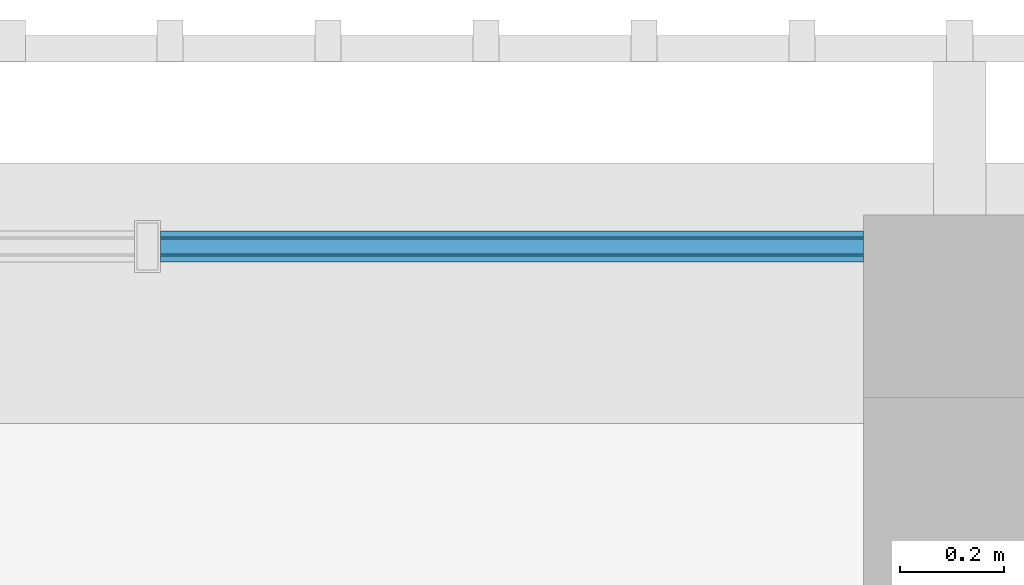
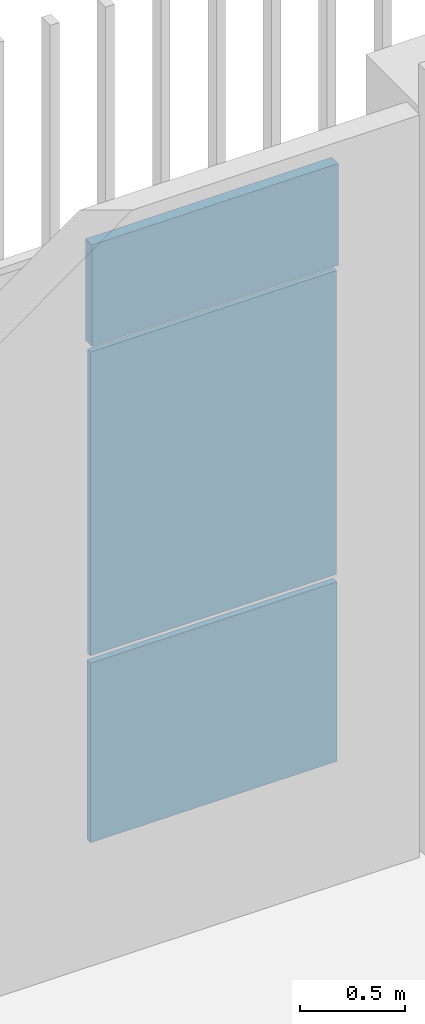
# One storey, part 70 of 139: 3 plates, 1 element without a shape of its own.
"""IFC4 building model written with IfcOpenShell, lengths in metres."""

from ifc_helpers import new_model, si_unit, direction, frame, origin, origin_2d, place, context, subcontext, project, spatial, rectangle, extrude, material, layer, layer_set, type_object, element, aggregate, save


model = new_model("IFC4")

# Units and contexts
model_context = context("Model", 3, precision=1e-05, world=origin(), true_north=direction((0.0, 1.0)))
body_context = subcontext(model_context, "Body", "Model", "MODEL_VIEW")
ifc_project = project(units=[si_unit("LENGTHUNIT", "METRE"), si_unit("AREAUNIT", "SQUARE_METRE"), si_unit("VOLUMEUNIT", "CUBIC_METRE"), si_unit("PLANEANGLEUNIT", "RADIAN"), si_unit("MASSUNIT", "GRAM", prefix="KILO")], contexts=[model_context])

# Site, building, storey
site_placement = place(None, origin())
site = spatial("IfcSite", under=ifc_project, at=site_placement, CompositionType="ELEMENT")
building_placement = place(site_placement, origin())
building = spatial("IfcBuilding", under=site, at=building_placement, Name="Shirokan Park Arena", CompositionType="ELEMENT")
storey_placement = place(building_placement, frame((0.0, 0.0, 15.469970703125)))
storey = spatial("IfcBuildingStorey", under=building, at=storey_placement, Name="L03", CompositionType="ELEMENT", Elevation=15.469970703125)

# Curtain wall, plates
ifc_material_1 = material(Name="Steel and glass curtain wall", Category="steel")
ifc_layer_1 = layer(ifc_material_1, 0.1201171875)
ifc_layer_set_1 = layer_set([ifc_layer_1], Name="Steel and glass curtain wall 120 mm")
curtain_wall_type = type_object("IfcCurtainWallType", Name="Curtain wall corner block side bay 120", PredefinedType="NOTDEFINED", material=ifc_layer_set_1)
curtain_wall_placement = place(storey_placement, origin())
curtain_wall = element("IfcCurtainWall", 1, at=curtain_wall_placement, inside=storey, type_object=curtain_wall_type, Name="Curtain wall north bay 3 L03", PredefinedType="NOTDEFINED")
ifc_material_2 = material(Name="Aluminium sheet", Category="aluminium")
ifc_layer_2 = layer(ifc_material_2, 0.0029296875, Name="Aluminium sheet")
ifc_material_3 = material(Name="Mineral wool insulation")
ifc_layer_3 = layer(ifc_material_3, 0.053955078125, Name="Mineral wool insulation")
ifc_layer_4 = layer(ifc_material_2, 0.0029296875, Name="Aluminium sheet")
ifc_layer_set_2 = layer_set([ifc_layer_2, ifc_layer_3, ifc_layer_4], Name="Aluminium sheet + Mineral wool insulation")
plate_type_1 = type_object("IfcPlateType", Name="Insulated spandrel panel 60", PredefinedType="CURTAIN_PANEL", material=ifc_layer_set_2)
plate_1_placement = place(storey_placement, frame((120.625, 109.2900390625, 2.919921875), z_axis=(0.0, 0.0, 1.0), x_axis=(-1.0, 0.0, 0.0)))
plate_1 = element("IfcPlate", 2, at=plate_1_placement, type_object=plate_type_1, Name="CW3 panel 1.3", PredefinedType="CURTAIN_PANEL", context=body_context, shape_type="SweptSolid", body=[
    extrude(rectangle(XDim=1.35009765625, YDim=0.06005859375, at=origin_2d()), origin(), (0.0, 0.0, 1.0), 0.590087890625),
])
ifc_material_4 = material(Name="Toughened glass", Category="glass")
ifc_layer_5 = layer(ifc_material_4, 0.012939453125, Name="Toughened glass")
ifc_material_5 = material(Name="Interlayer film")
ifc_layer_6 = layer(ifc_material_5, 0.001953125, Name="Interlayer film")
ifc_layer_7 = layer(ifc_material_4, 0.012939453125, Name="Toughened glass")
ifc_layer_set_3 = layer_set([ifc_layer_5, ifc_layer_6, ifc_layer_7], Name="Toughened glass + Interlayer film")
plate_type_2 = type_object("IfcPlateType", Name="Laminated glass panel 28", PredefinedType="CURTAIN_PANEL", material=ifc_layer_set_3)
plate_2_placement = place(storey_placement, frame((120.625, 109.2900390625, 1.1201171875), z_axis=(0.0, 0.0, 1.0), x_axis=(-1.0, 0.0, 0.0)))
plate_2 = element("IfcPlate", 3, at=plate_2_placement, type_object=plate_type_2, Name="CW3 panel 1.2", PredefinedType="CURTAIN_PANEL", context=body_context, shape_type="SweptSolid", body=[
    extrude(rectangle(XDim=1.35009765625, YDim=0.028076171875, at=origin_2d()), origin(), (0.0, 0.0, 1.0), 1.760009765625),
])
ifc_layer_8 = layer(ifc_material_4, 0.01708984375, Name="Toughened glass")
ifc_layer_9 = layer(ifc_material_5, 0.001953125, Name="Interlayer film")
ifc_layer_10 = layer(ifc_material_4, 0.01708984375, Name="Toughened glass")
ifc_layer_set_4 = layer_set([ifc_layer_8, ifc_layer_9, ifc_layer_10], Name="Toughened glass + Interlayer film")
plate_type_3 = type_object("IfcPlateType", Name="Laminated safety glass panel 36", PredefinedType="CURTAIN_PANEL", material=ifc_layer_set_4)
plate_3_placement = place(storey_placement, frame((120.625, 109.2900390625, 0.0400390625), z_axis=(0.0, 0.0, 1.0), x_axis=(-1.0, 0.0, 0.0)))
plate_3 = element("IfcPlate", 4, at=plate_3_placement, type_object=plate_type_3, Name="CW3 panel 1.1", PredefinedType="CURTAIN_PANEL", context=body_context, shape_type="SweptSolid", body=[
    extrude(rectangle(XDim=1.35009765625, YDim=0.035888671875, at=origin_2d()), origin(), (0.0, 0.0, 1.0), 1.0400390625),
])
aggregate(curtain_wall, [plate_3, plate_2, plate_1])

save(model, "model.ifc")
